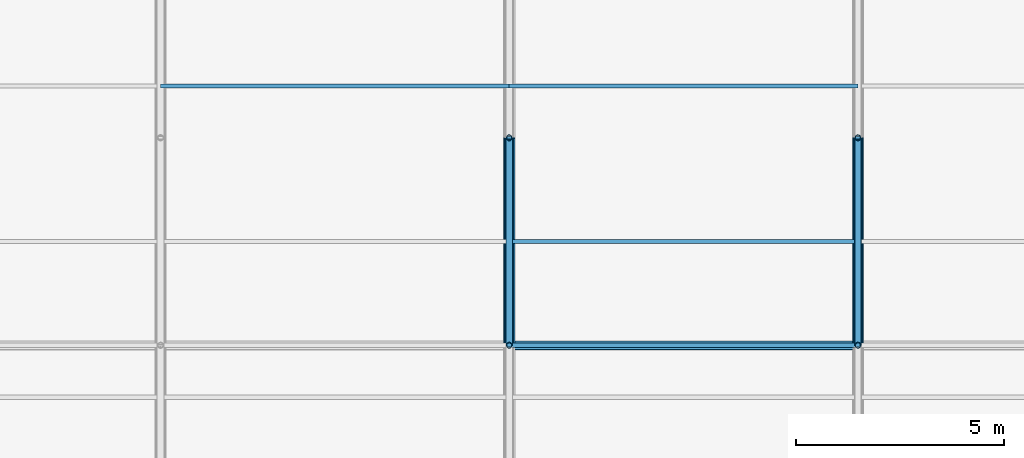
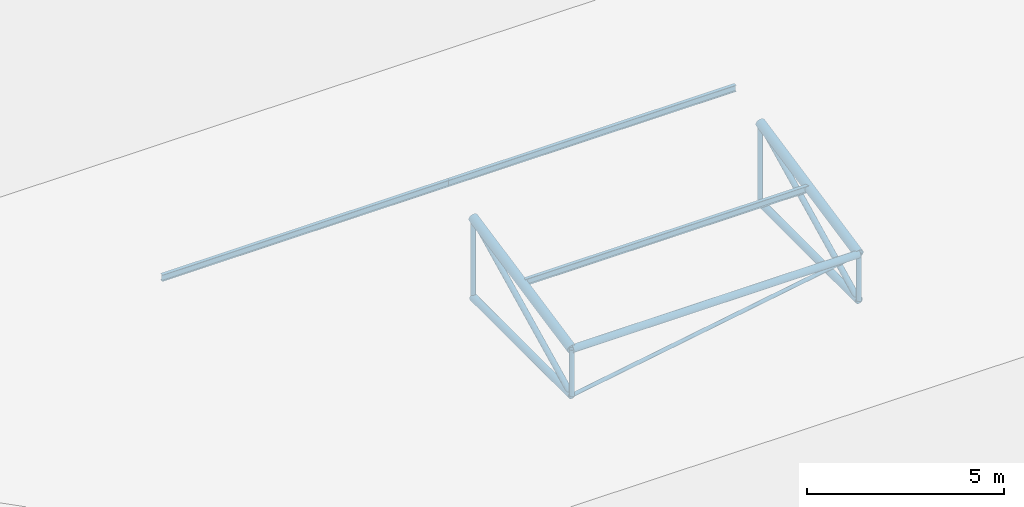
# One storey, part 40 of 194: 12 members, 3 beams.
"""IFC4 building model written with IfcOpenShell, lengths in metres."""

from ifc_helpers import new_model, si_unit, direction, frame, origin, origin_2d, place, context, subcontext, project, spatial, hollow_circle, i_section, extrude, material, material_profile, profile_set, type_object, element, save


model = new_model("IFC4")

# Units and contexts
model_context = context("Model", 3, precision=1e-05, world=origin(), true_north=direction((0.0, 1.0)))
body_context = subcontext(model_context, "Body", "Model", "MODEL_VIEW")
ifc_project = project(units=[si_unit("LENGTHUNIT", "METRE"), si_unit("AREAUNIT", "SQUARE_METRE"), si_unit("VOLUMEUNIT", "CUBIC_METRE"), si_unit("PLANEANGLEUNIT", "RADIAN"), si_unit("MASSUNIT", "GRAM", prefix="KILO")], contexts=[model_context])

# Site, building, storey
site_placement = place(None, origin())
site = spatial("IfcSite", under=ifc_project, at=site_placement, CompositionType="ELEMENT")
building_placement = place(site_placement, origin())
building = spatial("IfcBuilding", under=site, at=building_placement, Name="Kazenagashi Tramway Depot", CompositionType="ELEMENT")
storey_placement = place(building_placement, frame((0.0, 0.0, 23.7)))
storey = spatial("IfcBuildingStorey", under=building, at=storey_placement, Name="ROOF", CompositionType="ELEMENT", Elevation=23.7)

# Beams
ifc_material_1 = material(Name="Steel SN400B", Category="steel")
ifc_material_profile_1 = material_profile(ifc_material_1, i_section(OverallWidth=0.1, OverallDepth=0.2, WebThickness=0.0055, FlangeThickness=0.008, at=origin_2d()), Name="H-200x100x5.5x8")
ifc_profile_set_1 = profile_set([ifc_material_profile_1], Name="Steel SN400B")
beam_type = type_object("IfcBeamType", Name="PR-01", PredefinedType="USERDEFINED", material=ifc_profile_set_1)
for number, where, z_axis, x_axis, name in (
    (1, (70.0, 107.5, -12.13), (1.0, 0.0, 0.0), (0.0, 1.0, 0.0), "Beam PR-01 BM-2147"),
    (2, (61.6, 111.25, -11.305), (1.0, 0.0, 0.0), (0.0, 1.0, 0.0), "Beam PR-01 BM-2164"),
    (3, (70.0, 111.25, -11.305), (1.0, 0.0, 0.0), (0.0, 1.0, 0.0), "Beam PR-01 BM-2165"),
):
    element("IfcBeam", number, at=place(storey_placement, frame(where, z_axis=z_axis, x_axis=x_axis)), inside=storey, type_object=beam_type, Name=name, ObjectType="PURLIN", PredefinedType="USERDEFINED", context=body_context, shape_type="SweptSolid", body=[
        extrude(i_section(OverallWidth=0.1, OverallDepth=0.2, WebThickness=0.0055, FlangeThickness=0.008, at=origin_2d()), origin(), (0.0, 0.0, 1.0), 8.4),
    ])

# Members
ifc_material_2 = material(Name="Steel STK490", Category="steel")
ifc_material_profile_2 = material_profile(ifc_material_2, hollow_circle(Radius=0.1337, WallThickness=0.0093, at=origin_2d()), Name="CHS-267.4x9.3")
ifc_profile_set_2 = profile_set([ifc_material_profile_2], Name="Steel STK490")
member_type_1 = type_object("IfcMemberType", Name="TC-01", PredefinedType="CHORD", material=ifc_profile_set_2)
for number, where, z_axis, x_axis, name in (
    (4, (70.0, 105.0, -12.667), (0.0, 0.979279174591, 0.202514933305), (-1.0, 0.0, 0.0), "Tubular Space Frame TC-01 MEM-0218"),
    (5, (78.4, 105.0, -12.667), (0.0, 0.979279174591, 0.202514933305), (-1.0, 0.0, 0.0), "Tubular Space Frame TC-01 MEM-0279"),
):
    element("IfcMember", number, at=place(storey_placement, frame(where, z_axis=z_axis, x_axis=x_axis)), inside=storey, type_object=member_type_1, Name=name, PredefinedType="CHORD", context=body_context, shape_type="SweptSolid", body=[
        extrude(hollow_circle(Radius=0.1337, WallThickness=0.0093, at=origin_2d()), origin(), (0.0, 0.0, 1.0), 5.105796),
    ])
ifc_material_profile_3 = material_profile(ifc_material_2, hollow_circle(Radius=0.10815, WallThickness=0.0082, at=origin_2d()), Name="CHS-216.3x8.2")
ifc_profile_set_3 = profile_set([ifc_material_profile_3], Name="Steel STK490")
member_type_2 = type_object("IfcMemberType", Name="TC-02", PredefinedType="CHORD", material=ifc_profile_set_3)
member_1_placement = place(storey_placement, frame((70.0, 105.0, -14.1), z_axis=(0.0, 1.0, 0.0), x_axis=(-1.0, 0.0, 0.0)))
element("IfcMember", 6, at=member_1_placement, inside=storey, type_object=member_type_2, Name="Tubular Space Frame TC-02 MEM-0219", PredefinedType="CHORD", context=body_context, shape_type="SweptSolid", body=[
    extrude(hollow_circle(Radius=0.10815, WallThickness=0.0082, at=origin_2d()), origin(), (0.0, 0.0, 1.0), 5.0),
])
member_2_placement = place(storey_placement, frame((70.0, 105.0, -12.667), z_axis=(1.0, 0.0, 0.0), x_axis=(0.0, 1.0, 0.0)))
element("IfcMember", 7, at=member_2_placement, inside=storey, type_object=member_type_2, Name="Tubular Space Frame TC-02 MEM-0239", PredefinedType="CHORD", context=body_context, shape_type="SweptSolid", body=[
    extrude(hollow_circle(Radius=0.10815, WallThickness=0.0082, at=origin_2d()), origin(), (0.0, 0.0, 1.0), 8.4),
])
member_3_placement = place(storey_placement, frame((78.4, 105.0, -14.1), z_axis=(0.0, 1.0, 0.0), x_axis=(-1.0, 0.0, 0.0)))
element("IfcMember", 8, at=member_3_placement, inside=storey, type_object=member_type_2, Name="Tubular Space Frame TC-02 MEM-0280", PredefinedType="CHORD", context=body_context, shape_type="SweptSolid", body=[
    extrude(hollow_circle(Radius=0.10815, WallThickness=0.0082, at=origin_2d()), origin(), (0.0, 0.0, 1.0), 5.0),
])
ifc_material_profile_4 = material_profile(ifc_material_2, hollow_circle(Radius=0.0826, WallThickness=0.0071, at=origin_2d()), Name="CHS-165.2x7.1")
ifc_profile_set_4 = profile_set([ifc_material_profile_4], Name="Steel STK490")
member_type_3 = type_object("IfcMemberType", Name="TS-01", PredefinedType="STRUT", material=ifc_profile_set_4)
for number, where, z_axis, x_axis, name in (
    (9, (70.0, 105.0, -14.1), (0.0, 0.896782162482, 0.442472318969), (-1.0, 0.0, 0.0), "Tubular Space Frame TS-01 MEM-0220"),
    (10, (78.4, 105.0, -14.1), (0.0, 0.896782162482, 0.442472318969), (-1.0, 0.0, 0.0), "Tubular Space Frame TS-01 MEM-0281"),
):
    element("IfcMember", number, at=place(storey_placement, frame(where, z_axis=z_axis, x_axis=x_axis)), inside=storey, type_object=member_type_3, Name=name, PredefinedType="STRUT", context=body_context, shape_type="SweptSolid", body=[
        extrude(hollow_circle(Radius=0.0826, WallThickness=0.0071, at=origin_2d()), origin(), (0.0, 0.0, 1.0), 5.57549),
    ])
ifc_material_profile_5 = material_profile(ifc_material_2, hollow_circle(Radius=0.0699, WallThickness=0.0066, at=origin_2d()), Name="CHS-139.8x6.6")
ifc_profile_set_5 = profile_set([ifc_material_profile_5], Name="Steel STK490")
member_type_4 = type_object("IfcMemberType", Name="TS-02", PredefinedType="STRUT", material=ifc_profile_set_5)
member_4_placement = place(storey_placement, frame((70.0, 105.0, -14.1), z_axis=(0.0, 0.0, 1.0), x_axis=(1.0, 0.0, 0.0)))
element("IfcMember", 11, at=member_4_placement, inside=storey, type_object=member_type_4, Name="Tubular Space Frame TS-02 MEM-0233", PredefinedType="STRUT", context=body_context, shape_type="SweptSolid", body=[
    extrude(hollow_circle(Radius=0.0699, WallThickness=0.0066, at=origin_2d()), origin(), (0.0, 0.0, 1.0), 1.433),
])
member_5_placement = place(storey_placement, frame((70.0, 110.0, -14.1), z_axis=(0.0, 0.0, 1.0), x_axis=(1.0, 0.0, 0.0)))
element("IfcMember", 12, at=member_5_placement, inside=storey, type_object=member_type_4, Name="Tubular Space Frame TS-02 MEM-0234", PredefinedType="STRUT", context=body_context, shape_type="SweptSolid", body=[
    extrude(hollow_circle(Radius=0.0699, WallThickness=0.0066, at=origin_2d()), origin(), (0.0, 0.0, 1.0), 2.467),
])
member_6_placement = place(storey_placement, frame((78.4, 105.0, -14.1), z_axis=(0.0, 0.0, 1.0), x_axis=(1.0, 0.0, 0.0)))
element("IfcMember", 13, at=member_6_placement, inside=storey, type_object=member_type_4, Name="Tubular Space Frame TS-02 MEM-0294", PredefinedType="STRUT", context=body_context, shape_type="SweptSolid", body=[
    extrude(hollow_circle(Radius=0.0699, WallThickness=0.0066, at=origin_2d()), origin(), (0.0, 0.0, 1.0), 1.433),
])
member_7_placement = place(storey_placement, frame((78.4, 110.0, -14.1), z_axis=(0.0, 0.0, 1.0), x_axis=(1.0, 0.0, 0.0)))
element("IfcMember", 14, at=member_7_placement, inside=storey, type_object=member_type_4, Name="Tubular Space Frame TS-02 MEM-0295", PredefinedType="STRUT", context=body_context, shape_type="SweptSolid", body=[
    extrude(hollow_circle(Radius=0.0699, WallThickness=0.0066, at=origin_2d()), origin(), (0.0, 0.0, 1.0), 2.467),
])
ifc_material_3 = material(Name="Steel STK400", Category="steel")
ifc_material_profile_6 = material_profile(ifc_material_3, hollow_circle(Radius=0.05715, WallThickness=0.0045, at=origin_2d()), Name="CHS-114.3x4.5")
ifc_profile_set_6 = profile_set([ifc_material_profile_6], Name="Steel STK400")
member_type_5 = type_object("IfcMemberType", Name="TS-03", PredefinedType="STRUT", material=ifc_profile_set_6)
member_8_placement = place(storey_placement, frame((70.0, 105.0, -14.1), z_axis=(0.985758734117, 0.0, 0.168165745951), x_axis=(0.0, 1.0, 0.0)))
element("IfcMember", 15, at=member_8_placement, inside=storey, type_object=member_type_5, Name="Tubular Space Frame TS-03 MEM-0240", PredefinedType="STRUT", context=body_context, shape_type="SweptSolid", body=[
    extrude(hollow_circle(Radius=0.05715, WallThickness=0.0045, at=origin_2d()), origin(), (0.0, 0.0, 1.0), 8.521355),
])

save(model, "model.ifc")
